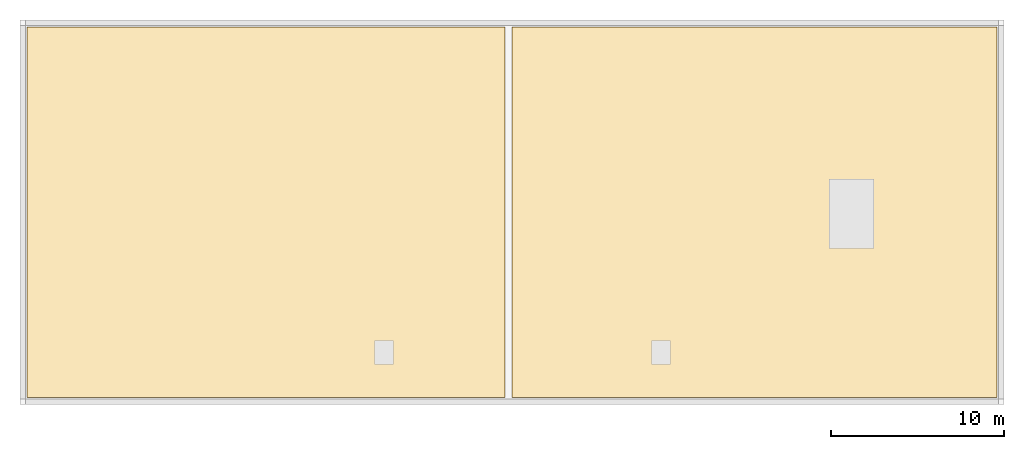
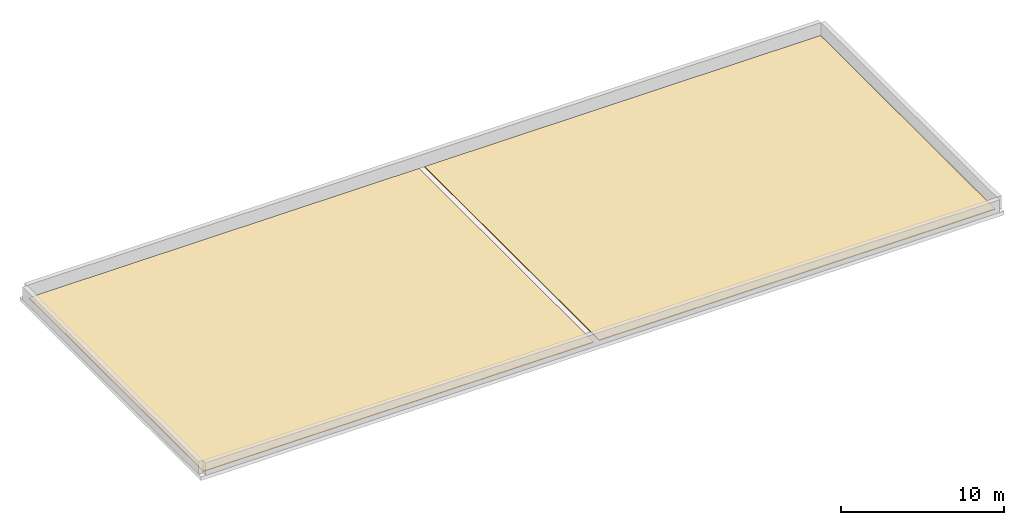
# One storey, part 2 of 2: 2 coverings.
"""IFC4 building model written with IfcOpenShell, lengths in metres."""

from ifc_helpers import new_model, si_unit, direction, frame, origin, place, context, subcontext, project, spatial, polyline, outline, extrude, material, layer, layer_set, type_object, element, save


model = new_model("IFC4")

# Units and contexts
model_context = context("Model", 3, precision=1e-05, world=origin(), true_north=direction((0.0, 1.0)))
body_context = subcontext(model_context, "Body", "Model", "MODEL_VIEW")
ifc_project = project(units=[si_unit("LENGTHUNIT", "METRE"), si_unit("AREAUNIT", "SQUARE_METRE"), si_unit("VOLUMEUNIT", "CUBIC_METRE"), si_unit("PLANEANGLEUNIT", "RADIAN"), si_unit("MASSUNIT", "GRAM", prefix="KILO")], contexts=[model_context])

# Site, building, storey
site_placement = place(None, origin())
site = spatial("IfcSite", under=ifc_project, at=site_placement, CompositionType="ELEMENT")
building_placement = place(site_placement, origin())
building = spatial("IfcBuilding", under=site, at=building_placement, Name="Valkorina Park Police Headquarters", CompositionType="ELEMENT")
storey_placement = place(building_placement, frame((0.0, 0.0, 35.0)))
storey = spatial("IfcBuildingStorey", under=building, at=storey_placement, Name="RF", CompositionType="ELEMENT", Elevation=35.0)

# Coverings
ifc_material = material(Name="EPDM waterproof roofing membrane")
ifc_layer = layer(ifc_material, 0.06005859375)
ifc_layer_set = layer_set([ifc_layer], Name="EPDM waterproof roofing membrane")
covering_type = type_object("IfcCoveringType", Name="COV-ROOF-EPDM", PredefinedType="ROOFING", material=ifc_layer_set)
covering_1_placement = place(storey_placement, origin())
element("IfcCovering", 1, at=covering_1_placement, inside=storey, type_object=covering_type, Name="RF Main Roof EPDM Membrane 1", PredefinedType="ROOFING", context=body_context, shape_type="SweptSolid", body=[
    extrude(outline(polyline([(28.0, 37.39990234375), (28.0, 58.800048828125), (0.39990234375, 58.800048828125), (0.39990234375, 37.39990234375), (28.0, 37.39990234375)])), origin(), (0.0, 0.0, 1.0), 0.06005859375),
])
covering_2_placement = place(storey_placement, origin())
element("IfcCovering", 2, at=covering_2_placement, inside=storey, type_object=covering_type, Name="RF Main Roof EPDM Membrane 2", PredefinedType="ROOFING", context=body_context, shape_type="SweptSolid", body=[
    extrude(outline(polyline([(56.39990234375, 37.39990234375), (56.39990234375, 58.800048828125), (28.39990234375, 58.800048828125), (28.39990234375, 37.39990234375), (56.39990234375, 37.39990234375)])), origin(), (0.0, 0.0, 1.0), 0.06005859375),
])

save(model, "model.ifc")
